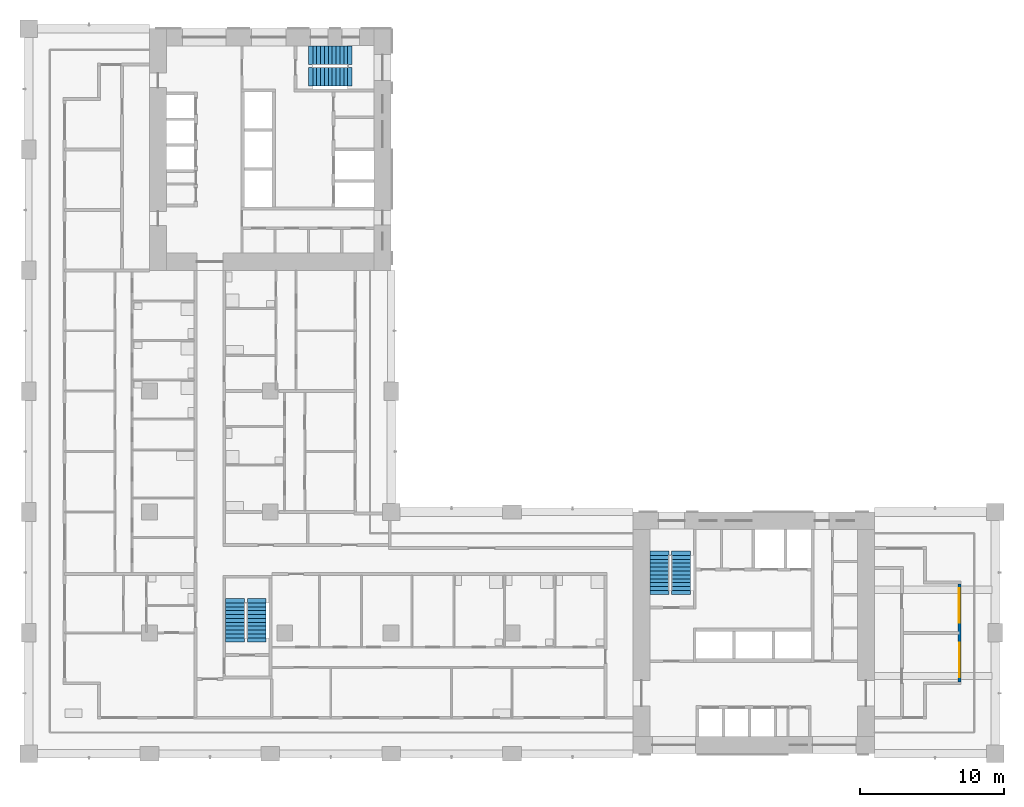
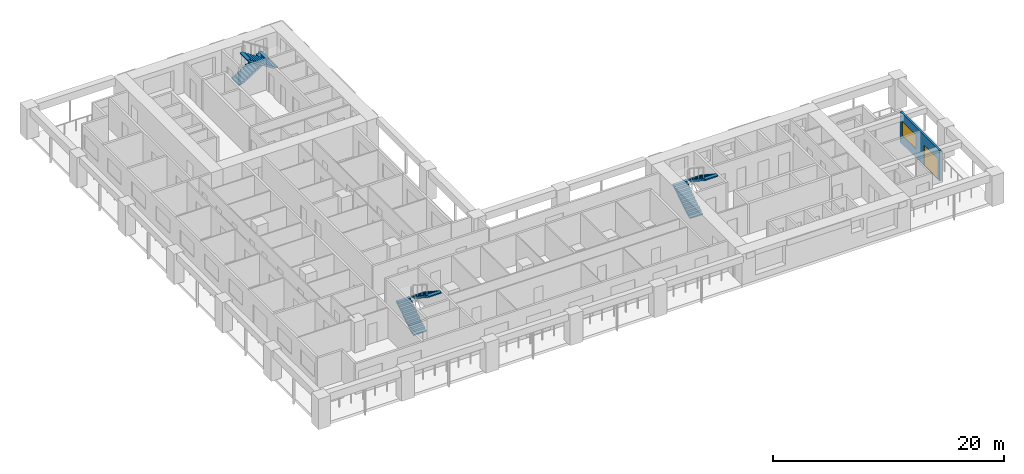
# One storey, part 9 of 17: 6 stair flights, 1 door, 1 wall, 1 window, 2 openings, 3 elements without a shape of their own.
"""IFC4 building model written with IfcOpenShell, lengths in metres."""

from ifc_helpers import new_model, si_unit, direction, frame, frame_2d, origin, place, context, subcontext, project, spatial, polyline, rectangle, outline, extrude, material, layer, layer_set, type_object, element, fill, aggregate, save


model = new_model("IFC4")

# Units and contexts
model_context = context("Model", 3, precision=1e-05, world=origin(), true_north=direction((0.0, 1.0)))
body_context = subcontext(model_context, "Body", "Model", "MODEL_VIEW")
ifc_project = project(units=[si_unit("LENGTHUNIT", "METRE"), si_unit("AREAUNIT", "SQUARE_METRE"), si_unit("VOLUMEUNIT", "CUBIC_METRE"), si_unit("PLANEANGLEUNIT", "RADIAN"), si_unit("MASSUNIT", "GRAM", prefix="KILO")], contexts=[model_context])

# Site, building, storey
site_placement = place(None, origin())
site = spatial("IfcSite", under=ifc_project, at=site_placement, CompositionType="ELEMENT")
building_placement = place(site_placement, origin())
building = spatial("IfcBuilding", under=site, at=building_placement, Name="Vermilion Gate Residences", CompositionType="ELEMENT")
storey_placement = place(building_placement, frame((0.0, 0.0, 98.699951171875)))
storey = spatial("IfcBuildingStorey", under=building, at=storey_placement, Name="L24", CompositionType="ELEMENT", Elevation=98.699951171875)

# Wall, openings, door, window
ifc_material_1 = material(Name="Insulated steel stud wall with terracotta rainscreen", Category="masonry")
ifc_layer = layer(ifc_material_1, 0.199951171875)
ifc_layer_set = layer_set([ifc_layer], Name="EXTERNAL WALL 200 TERRACOTTA RAINSCREEN")
wall_type = type_object("IfcWallType", Name="EXTERNAL WALL 200 TERRACOTTA RAINSCREEN", PredefinedType="SOLIDWALL", material=ifc_layer_set)
wall_placement = place(storey_placement, frame((64.699951171875, 13.39990234375, 0.0), z_axis=(0.0, 0.0, 1.0), x_axis=(0.0, 1.0, 0.0)))
wall = element("IfcWall", 1, at=wall_placement, inside=storey, type_object=wall_type, Name="External wall", PredefinedType="SOLIDWALL", context=body_context, shape_type="SweptSolid", body=[
    extrude(rectangle(XDim=6.800048828125, YDim=0.199951171875, at=frame_2d((3.39990234375, 0.0))), origin(), (0.0, 0.0, 1.0), 3.219970703125),
])
opening_1_placement = place(wall_placement, frame((4.10009765625, 0.0, 0.89990234375)))
opening_1 = element("IfcOpeningElement", 2, at=opening_1_placement, cuts=wall, Name="Opening WE24022", PredefinedType="OPENING", context=body_context, shape_type="SweptSolid", body=[
    extrude(rectangle(XDim=2.39990234375, YDim=1.5, at=frame_2d((1.199951171875, 0.75))), frame((0.0, 0.10986328125, 0.0), z_axis=(0.0, -1.0, 0.0), x_axis=(1.0, 0.0, 0.0)), (0.0, 0.0, 1.0), 0.219970703125),
])
opening_2_placement = place(wall_placement, frame((0.300048828125, 0.0, 0.0)))
opening_2 = element("IfcOpeningElement", 3, at=opening_2_placement, cuts=wall, Name="Opening DE24028", PredefinedType="OPENING", context=body_context, shape_type="SweptSolid", body=[
    extrude(rectangle(XDim=2.39990234375, YDim=2.199951171875, at=frame_2d((1.199951171875, 1.10009765625))), frame((0.0, 0.10986328125, 0.0), z_axis=(0.0, -1.0, 0.0), x_axis=(1.0, 0.0, 0.0)), (0.0, 0.0, 1.0), 0.219970703125),
])
ifc_material_2 = material(Name="Aluminium and clear glass", Category="aluminium")
door_type = type_object("IfcDoorType", Name="SLIDING GLAZED DOOR 2400 X 2200", OperationType="DOUBLE_DOOR_SLIDING", PredefinedType="DOOR", material=ifc_material_2)
door_placement = place(opening_2_placement, origin())
door = element("IfcDoor", 4, at=door_placement, inside=storey, type_object=door_type, Name="Loggia sliding door", OperationType="DOUBLE_DOOR_SLIDING", OverallHeight=2.199951171875, OverallWidth=2.39990234375, PredefinedType="DOOR", context=body_context, shape_type="SweptSolid", body=[
    extrude(rectangle(XDim=2.39990234375, YDim=2.199951171875, at=frame_2d((1.199951171875, 1.10009765625))), frame((0.0, 0.02490234375, 0.0), z_axis=(0.0, -1.0, 0.0), x_axis=(1.0, 0.0, 0.0)), (0.0, 0.0, 1.0), 0.050048828125),
])
fill(opening_2, door)
ifc_material_3 = material(Name="Aluminium and clear glass", Category="aluminium")
window_type = type_object("IfcWindowType", Name="WINDOW 2400 X 1500", PartitioningType="SINGLE_PANEL", PredefinedType="WINDOW", material=ifc_material_3)
window_placement = place(opening_1_placement, origin())
window = element("IfcWindow", 5, at=window_placement, inside=storey, type_object=window_type, Name="Window", OverallHeight=1.5, OverallWidth=2.39990234375, PartitioningType="SINGLE_PANEL", PredefinedType="WINDOW", context=body_context, shape_type="SweptSolid", body=[
    extrude(rectangle(XDim=2.39990234375, YDim=1.5, at=frame_2d((1.199951171875, 0.75))), frame((0.0, 0.030029296875, 0.0), z_axis=(0.0, -1.0, 0.0), x_axis=(1.0, 0.0, 0.0)), (0.0, 0.0, 1.0), 0.06005859375),
])
fill(opening_1, window)

# Stair, stair flights
ifc_material_4 = material(Name="Concrete C50", Category="concrete")
stair_type = type_object("IfcStairType", Name="SPECIAL ESCAPE STAIR 1300", PredefinedType="HALF_TURN_STAIR", material=ifc_material_4)
stair_1_placement = place(storey_placement, origin())
stair_1 = element("IfcStair", 6, at=stair_1_placement, inside=storey, type_object=stair_type, Name="Special escape stair STA1-24", PredefinedType="HALF_TURN_STAIR")
ifc_material_5 = material(Name="Concrete C50", Category="concrete")
stair_flight_type = type_object("IfcStairFlightType", Name="STAIR FLIGHT 1300 RC C50", PredefinedType="STRAIGHT", material=ifc_material_5)
stair_flight_1_placement = place(storey_placement, frame((43.85009765625, 19.75, 0.0), z_axis=(0.0, 0.0, 1.0), x_axis=(0.0, 1.0, 0.0)))
stair_flight_1 = element("IfcStairFlight", 7, at=stair_flight_1_placement, type_object=stair_flight_type, Name="STA1-24 flight 1", NumberOfRisers=10, NumberOfTreads=9, PredefinedType="STRAIGHT", RiserHeight=0.175, TreadLength=0.27, context=body_context, shape_type="SweptSolid", body=[
    extrude(outline(polyline([(-0.300048828125, -0.14990234375), (-0.300048828125, -0.030029296875), (0.0, 0.0), (0.0, 0.175048828125), (0.27001953125, 0.175048828125), (0.27001953125, 0.35009765625), (0.5400390625, 0.35009765625), (0.5400390625, 0.52490234375), (0.81005859375, 0.52490234375), (0.81005859375, 0.699951171875), (1.080078125, 0.699951171875), (1.080078125, 0.875), (1.35009765625, 0.875), (1.35009765625, 1.050048828125), (1.6201171875, 1.050048828125), (1.6201171875, 1.22509765625), (1.889892578125, 1.22509765625), (1.889892578125, 1.39990234375), (2.159912109375, 1.39990234375), (2.159912109375, 1.574951171875), (2.429931640625, 1.574951171875), (2.429931640625, 1.75), (2.72998046875, 1.719970703125), (2.72998046875, 1.60009765625), (2.429931640625, 1.396484375), (0.275634765625, 0.0), (-0.300048828125, -0.14990234375)])), frame((0.0, 0.64990234375, 0.0), z_axis=(0.0, -1.0, 0.0), x_axis=(1.0, 0.0, 0.0)), (0.0, 0.0, 1.0), 1.300048828125),
])
stair_flight_2_placement = place(storey_placement, frame((45.35009765625, 22.179931640625, 1.75), z_axis=(0.0, 0.0, 1.0), x_axis=(0.0, -1.0, 0.0)))
stair_flight_2 = element("IfcStairFlight", 8, at=stair_flight_2_placement, type_object=stair_flight_type, Name="STA1-24 flight 2", NumberOfRisers=10, NumberOfTreads=9, PredefinedType="STRAIGHT", RiserHeight=0.175, TreadLength=0.27, context=body_context, shape_type="SweptSolid", body=[
    extrude(outline(polyline([(-0.300048828125, -0.14990234375), (-0.300048828125, -0.030029296875), (0.0, 0.0), (0.0, 0.175048828125), (0.27001953125, 0.175048828125), (0.27001953125, 0.35009765625), (0.5400390625, 0.35009765625), (0.5400390625, 0.52490234375), (0.81005859375, 0.52490234375), (0.81005859375, 0.699951171875), (1.080078125, 0.699951171875), (1.080078125, 0.875), (1.35009765625, 0.875), (1.35009765625, 1.050048828125), (1.6201171875, 1.050048828125), (1.6201171875, 1.22509765625), (1.889892578125, 1.22509765625), (1.889892578125, 1.39990234375), (2.159912109375, 1.39990234375), (2.159912109375, 1.574951171875), (2.429931640625, 1.574951171875), (2.429931640625, 1.75), (2.72998046875, 1.719970703125), (2.72998046875, 1.60009765625), (2.429931640625, 1.396484375), (0.275634765625, 0.0), (-0.300048828125, -0.14990234375)])), frame((0.0, 0.64990234375, 0.0), z_axis=(0.0, -1.0, 0.0), x_axis=(1.0, 0.0, 0.0)), (0.0, 0.0, 1.0), 1.300048828125),
])
aggregate(stair_1, [stair_flight_1, stair_flight_2])

stair_2_placement = place(storey_placement, origin())
stair_2 = element("IfcStair", 9, at=stair_2_placement, inside=storey, type_object=stair_type, Name="Special escape stair STB1-24", PredefinedType="HALF_TURN_STAIR")
stair_flight_3_placement = place(storey_placement, frame((19.75, 56.949951171875, 0.0), z_axis=(0.0, 0.0, 1.0), x_axis=(1.0, 0.0, 0.0)))
stair_flight_3 = element("IfcStairFlight", 10, at=stair_flight_3_placement, type_object=stair_flight_type, Name="STB1-24 flight 1", NumberOfRisers=10, NumberOfTreads=9, PredefinedType="STRAIGHT", RiserHeight=0.175, TreadLength=0.27, context=body_context, shape_type="SweptSolid", body=[
    extrude(outline(polyline([(-0.300048828125, -0.14990234375), (-0.300048828125, -0.030029296875), (0.0, 0.0), (0.0, 0.175048828125), (0.27001953125, 0.175048828125), (0.27001953125, 0.35009765625), (0.5400390625, 0.35009765625), (0.5400390625, 0.52490234375), (0.81005859375, 0.52490234375), (0.81005859375, 0.699951171875), (1.080078125, 0.699951171875), (1.080078125, 0.875), (1.35009765625, 0.875), (1.35009765625, 1.050048828125), (1.6201171875, 1.050048828125), (1.6201171875, 1.22509765625), (1.889892578125, 1.22509765625), (1.889892578125, 1.39990234375), (2.159912109375, 1.39990234375), (2.159912109375, 1.574951171875), (2.429931640625, 1.574951171875), (2.429931640625, 1.75), (2.72998046875, 1.719970703125), (2.72998046875, 1.60009765625), (2.429931640625, 1.396484375), (0.275634765625, 0.0), (-0.300048828125, -0.14990234375)])), frame((0.0, 0.64990234375, 0.0), z_axis=(0.0, -1.0, 0.0), x_axis=(1.0, 0.0, 0.0)), (0.0, 0.0, 1.0), 1.300048828125),
])
stair_flight_4_placement = place(storey_placement, frame((22.179931640625, 55.449951171875, 1.75), z_axis=(0.0, 0.0, 1.0), x_axis=(-1.0, 0.0, 0.0)))
stair_flight_4 = element("IfcStairFlight", 11, at=stair_flight_4_placement, type_object=stair_flight_type, Name="STB1-24 flight 2", NumberOfRisers=10, NumberOfTreads=9, PredefinedType="STRAIGHT", RiserHeight=0.175, TreadLength=0.27, context=body_context, shape_type="SweptSolid", body=[
    extrude(outline(polyline([(-0.300048828125, -0.14990234375), (-0.300048828125, -0.030029296875), (0.0, 0.0), (0.0, 0.175048828125), (0.27001953125, 0.175048828125), (0.27001953125, 0.35009765625), (0.5400390625, 0.35009765625), (0.5400390625, 0.52490234375), (0.81005859375, 0.52490234375), (0.81005859375, 0.699951171875), (1.080078125, 0.699951171875), (1.080078125, 0.875), (1.35009765625, 0.875), (1.35009765625, 1.050048828125), (1.6201171875, 1.050048828125), (1.6201171875, 1.22509765625), (1.889892578125, 1.22509765625), (1.889892578125, 1.39990234375), (2.159912109375, 1.39990234375), (2.159912109375, 1.574951171875), (2.429931640625, 1.574951171875), (2.429931640625, 1.75), (2.72998046875, 1.719970703125), (2.72998046875, 1.60009765625), (2.429931640625, 1.396484375), (0.275634765625, 0.0), (-0.300048828125, -0.14990234375)])), frame((0.0, 0.64990234375, 0.0), z_axis=(0.0, -1.0, 0.0), x_axis=(1.0, 0.0, 0.0)), (0.0, 0.0, 1.0), 1.300048828125),
])
aggregate(stair_2, [stair_flight_3, stair_flight_4])

stair_3_placement = place(storey_placement, origin())
stair_3 = element("IfcStair", 12, at=stair_3_placement, inside=storey, type_object=stair_type, Name="Special escape stair STC1-24", PredefinedType="HALF_TURN_STAIR")
stair_flight_5_placement = place(storey_placement, frame((14.35009765625, 16.449951171875, 0.0), z_axis=(0.0, 0.0, 1.0), x_axis=(0.0, 1.0, 0.0)))
stair_flight_5 = element("IfcStairFlight", 13, at=stair_flight_5_placement, type_object=stair_flight_type, Name="STC1-24 flight 1", NumberOfRisers=10, NumberOfTreads=9, PredefinedType="STRAIGHT", RiserHeight=0.175, TreadLength=0.27, context=body_context, shape_type="SweptSolid", body=[
    extrude(outline(polyline([(-0.300048828125, -0.14990234375), (-0.300048828125, -0.030029296875), (0.0, 0.0), (0.0, 0.175048828125), (0.27001953125, 0.175048828125), (0.27001953125, 0.35009765625), (0.5400390625, 0.35009765625), (0.5400390625, 0.52490234375), (0.81005859375, 0.52490234375), (0.81005859375, 0.699951171875), (1.080078125, 0.699951171875), (1.080078125, 0.875), (1.35009765625, 0.875), (1.35009765625, 1.050048828125), (1.6201171875, 1.050048828125), (1.6201171875, 1.22509765625), (1.889892578125, 1.22509765625), (1.889892578125, 1.39990234375), (2.159912109375, 1.39990234375), (2.159912109375, 1.574951171875), (2.429931640625, 1.574951171875), (2.429931640625, 1.75), (2.72998046875, 1.719970703125), (2.72998046875, 1.60009765625), (2.429931640625, 1.396484375), (0.275634765625, 0.0), (-0.300048828125, -0.14990234375)])), frame((0.0, 0.64990234375, 0.0), z_axis=(0.0, -1.0, 0.0), x_axis=(1.0, 0.0, 0.0)), (0.0, 0.0, 1.0), 1.300048828125),
])
stair_flight_6_placement = place(storey_placement, frame((15.85009765625, 18.8798828125, 1.75), z_axis=(0.0, 0.0, 1.0), x_axis=(0.0, -1.0, 0.0)))
stair_flight_6 = element("IfcStairFlight", 14, at=stair_flight_6_placement, type_object=stair_flight_type, Name="STC1-24 flight 2", NumberOfRisers=10, NumberOfTreads=9, PredefinedType="STRAIGHT", RiserHeight=0.175, TreadLength=0.27, context=body_context, shape_type="SweptSolid", body=[
    extrude(outline(polyline([(-0.300048828125, -0.14990234375), (-0.300048828125, -0.030029296875), (0.0, 0.0), (0.0, 0.175048828125), (0.27001953125, 0.175048828125), (0.27001953125, 0.35009765625), (0.5400390625, 0.35009765625), (0.5400390625, 0.52490234375), (0.81005859375, 0.52490234375), (0.81005859375, 0.699951171875), (1.080078125, 0.699951171875), (1.080078125, 0.875), (1.35009765625, 0.875), (1.35009765625, 1.050048828125), (1.6201171875, 1.050048828125), (1.6201171875, 1.22509765625), (1.889892578125, 1.22509765625), (1.889892578125, 1.39990234375), (2.159912109375, 1.39990234375), (2.159912109375, 1.574951171875), (2.429931640625, 1.574951171875), (2.429931640625, 1.75), (2.72998046875, 1.719970703125), (2.72998046875, 1.60009765625), (2.429931640625, 1.396484375), (0.275634765625, 0.0), (-0.300048828125, -0.14990234375)])), frame((0.0, 0.64990234375, 0.0), z_axis=(0.0, -1.0, 0.0), x_axis=(1.0, 0.0, 0.0)), (0.0, 0.0, 1.0), 1.300048828125),
])
aggregate(stair_3, [stair_flight_5, stair_flight_6])

save(model, "model.ifc")
